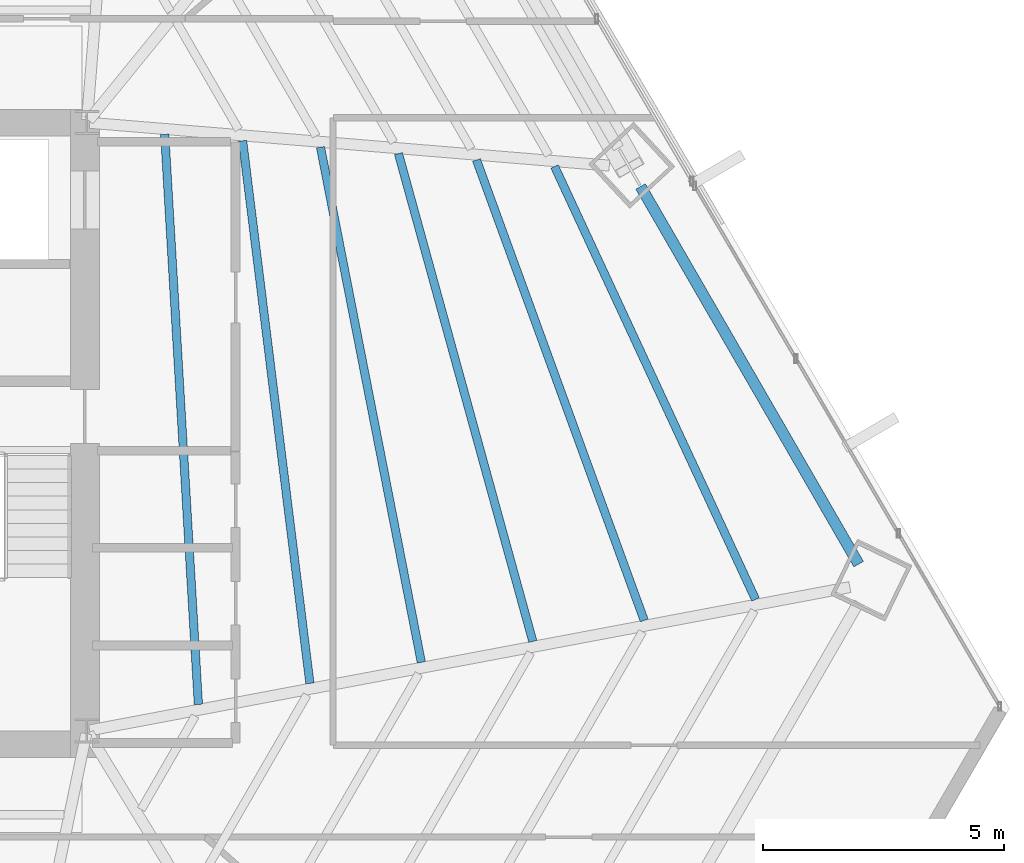
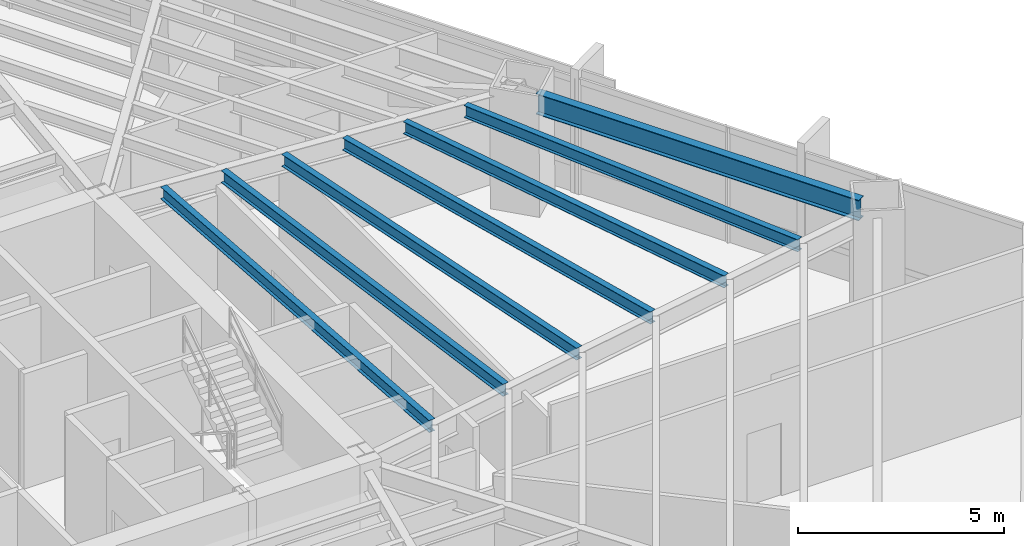
# One storey, part 21 of 37: 7 beams.
"""IFC4 building model written with IfcOpenShell, lengths in metres."""

from ifc_helpers import new_model, si_unit, direction, frame, origin, origin_2d, place, context, subcontext, project, spatial, i_section, extrude, source, transform, mapped, material, material_profile, profile_set, type_object, type_shapes, element, save


model = new_model("IFC4")

# Units and contexts
model_context = context("Model", 3, precision=1e-05, world=origin(), true_north=direction((0.0, 1.0)))
body_context = subcontext(model_context, "Body", "Model", "MODEL_VIEW")
ifc_project = project(units=[si_unit("LENGTHUNIT", "METRE"), si_unit("AREAUNIT", "SQUARE_METRE"), si_unit("VOLUMEUNIT", "CUBIC_METRE"), si_unit("PLANEANGLEUNIT", "RADIAN"), si_unit("MASSUNIT", "GRAM", prefix="KILO")], contexts=[model_context])

# Site, building, storey
site_placement = place(None, origin())
site = spatial("IfcSite", under=ifc_project, at=site_placement, CompositionType="ELEMENT")
building_placement = place(site_placement, origin())
building = spatial("IfcBuilding", under=site, at=building_placement, Name="Caelisora Broadcast Tower", CompositionType="ELEMENT")
storey_placement = place(building_placement, frame((0.0, 0.0, 45.85009765625)))
storey = spatial("IfcBuildingStorey", under=building, at=storey_placement, Name="L11", CompositionType="ELEMENT", Elevation=45.85009765625)

# Beams
ifc_material = material(Name="Steel Grade 350 (AS/NZS 3679.1)", Category="steel")
ifc_material_profile_1 = material_profile(ifc_material, i_section(OverallWidth=0.22900390625, OverallDepth=0.611572265625, WebThickness=0.011962890625, FlangeThickness=0.01953125, at=origin_2d()), Name="Steel Grade 350 (AS/NZS 3679.1)")
ifc_profile_set_1 = profile_set([ifc_material_profile_1], Name="Steel Grade 350 (AS/NZS 3679.1)")
beam_type_1 = type_object("IfcBeamType", Name="PG03", PredefinedType="BEAM", material=ifc_profile_set_1)
shared_shape_1 = source(origin(), body_context, "Body", "SweptSolid", [
    extrude(i_section(OverallWidth=0.22900390625, OverallDepth=0.611572265625, WebThickness=0.011962890625, FlangeThickness=0.01953125, at=origin_2d()), origin(), (0.0, 0.0, 1.0), 9.031494140625),
])
type_shapes(beam_type_1, [shared_shape_1])
beam_1_placement = place(storey_placement, frame((61.485595703125, 20.85400390625, 3.093994140625), z_axis=(-0.499988432032, 0.866032082451, 0.0), x_axis=(-0.866032082451, -0.499988432032, 0.0)))
element("IfcBeam", 1, at=beam_1_placement, inside=storey, type_object=beam_type_1, Name="L11 beam PG03", PredefinedType="BEAM", context=body_context, shape_type="MappedRepresentation", body=[
    mapped(shared_shape_1, transform((0.0, 0.0, 0.0), scale=1.0)),
])
ifc_material_profile_2 = material_profile(ifc_material, i_section(OverallWidth=0.172119140625, OverallDepth=0.358642578125, WebThickness=0.008056640625, FlangeThickness=0.012939453125, at=origin_2d()), Name="Steel Grade 350 (AS/NZS 3679.1)")
ifc_profile_set_2 = profile_set([ifc_material_profile_2], Name="Steel Grade 350 (AS/NZS 3679.1)")
beam_type_2 = type_object("IfcBeamType", Name="SB02", PredefinedType="JOIST", material=ifc_profile_set_2)
shared_shape_2 = source(origin(), body_context, "Body", "SweptSolid", [
    extrude(i_section(OverallWidth=0.172119140625, OverallDepth=0.358642578125, WebThickness=0.008056640625, FlangeThickness=0.012939453125, at=origin_2d()), origin(), (0.0, 0.0, 1.0), 11.828125),
])
beam_2_placement = place(storey_placement, frame((47.809814453125, 17.9482421875, 3.220703125), z_axis=(-0.058970062658, 0.998259751623, 0.0), x_axis=(-0.998259751623, -0.058970062658, 0.0)))
element("IfcBeam", 2, at=beam_2_placement, inside=storey, type_object=beam_type_2, Name="L11 beam SB02", PredefinedType="JOIST", context=body_context, shape_type="MappedRepresentation", body=[
    mapped(shared_shape_2, transform((0.0, 0.0, 0.0), scale=1.0)),
])
shared_shape_3 = source(origin(), body_context, "Body", "SweptSolid", [
    extrude(i_section(OverallWidth=0.172119140625, OverallDepth=0.358642578125, WebThickness=0.008056640625, FlangeThickness=0.012939453125, at=origin_2d()), origin(), (0.0, 0.0, 1.0), 11.32568359375),
])
beam_3_placement = place(storey_placement, frame((50.119384765625, 18.38330078125, 3.220703125), z_axis=(-0.123087519373, 0.992395819507, 0.0), x_axis=(-0.992395819507, -0.123087519373, 0.0)))
element("IfcBeam", 3, at=beam_3_placement, inside=storey, type_object=beam_type_2, Name="L11 beam SB02", PredefinedType="JOIST", context=body_context, shape_type="MappedRepresentation", body=[
    mapped(shared_shape_3, transform((0.0, 0.0, 0.0), scale=1.0)),
])
shared_shape_4 = source(origin(), body_context, "Body", "SweptSolid", [
    extrude(i_section(OverallWidth=0.172119140625, OverallDepth=0.358642578125, WebThickness=0.008056640625, FlangeThickness=0.012939453125, at=origin_2d()), origin(), (0.0, 0.0, 1.0), 10.873779296875),
])
beam_4_placement = place(storey_placement, frame((52.42822265625, 18.818603515625, 3.220703125), z_axis=(-0.192103275368, 0.981374715179, 0.0), x_axis=(-0.981374715179, -0.192103275368, 0.0)))
element("IfcBeam", 4, at=beam_4_placement, inside=storey, type_object=beam_type_2, Name="L11 beam SB02", PredefinedType="JOIST", context=body_context, shape_type="MappedRepresentation", body=[
    mapped(shared_shape_4, transform((0.0, 0.0, 0.0), scale=1.0)),
])
shared_shape_5 = source(origin(), body_context, "Body", "SweptSolid", [
    extrude(i_section(OverallWidth=0.172119140625, OverallDepth=0.358642578125, WebThickness=0.008056640625, FlangeThickness=0.012939453125, at=origin_2d()), origin(), (0.0, 0.0, 1.0), 10.4794921875),
])
beam_5_placement = place(storey_placement, frame((54.736572265625, 19.25341796875, 3.220703125), z_axis=(-0.265517631178, 0.964106004303, 0.0), x_axis=(-0.964106004303, -0.265517631178, 0.0)))
element("IfcBeam", 5, at=beam_5_placement, inside=storey, type_object=beam_type_2, Name="L11 beam SB02", PredefinedType="JOIST", context=body_context, shape_type="MappedRepresentation", body=[
    mapped(shared_shape_5, transform((0.0, 0.0, 0.0), scale=1.0)),
])
shared_shape_6 = source(origin(), body_context, "Body", "SweptSolid", [
    extrude(i_section(OverallWidth=0.172119140625, OverallDepth=0.358642578125, WebThickness=0.008056640625, FlangeThickness=0.012939453125, at=origin_2d()), origin(), (0.0, 0.0, 1.0), 10.148193359375),
])
beam_6_placement = place(storey_placement, frame((57.044189453125, 19.688232421875, 3.220703125), z_axis=(-0.342312827142, 0.939586040964, 0.0), x_axis=(-0.939586040964, -0.342312827142, 0.0)))
element("IfcBeam", 6, at=beam_6_placement, inside=storey, type_object=beam_type_2, Name="L11 beam SB02", PredefinedType="JOIST", context=body_context, shape_type="MappedRepresentation", body=[
    mapped(shared_shape_6, transform((0.0, 0.0, 0.0), scale=1.0)),
])
shared_shape_7 = source(origin(), body_context, "Body", "SweptSolid", [
    extrude(i_section(OverallWidth=0.172119140625, OverallDepth=0.358642578125, WebThickness=0.008056640625, FlangeThickness=0.012939453125, at=origin_2d()), origin(), (0.0, 0.0, 1.0), 9.88623046875),
])
type_shapes(beam_type_2, [shared_shape_2, shared_shape_3, shared_shape_4, shared_shape_5, shared_shape_6, shared_shape_7])
beam_7_placement = place(storey_placement, frame((59.350830078125, 20.123046875, 3.220703125), z_axis=(-0.421075753513, 0.907025473624, 0.0), x_axis=(-0.907025473624, -0.421075753513, 0.0)))
element("IfcBeam", 7, at=beam_7_placement, inside=storey, type_object=beam_type_2, Name="L11 beam SB02", PredefinedType="JOIST", context=body_context, shape_type="MappedRepresentation", body=[
    mapped(shared_shape_7, transform((0.0, 0.0, 0.0), scale=1.0)),
])

save(model, "model.ifc")
